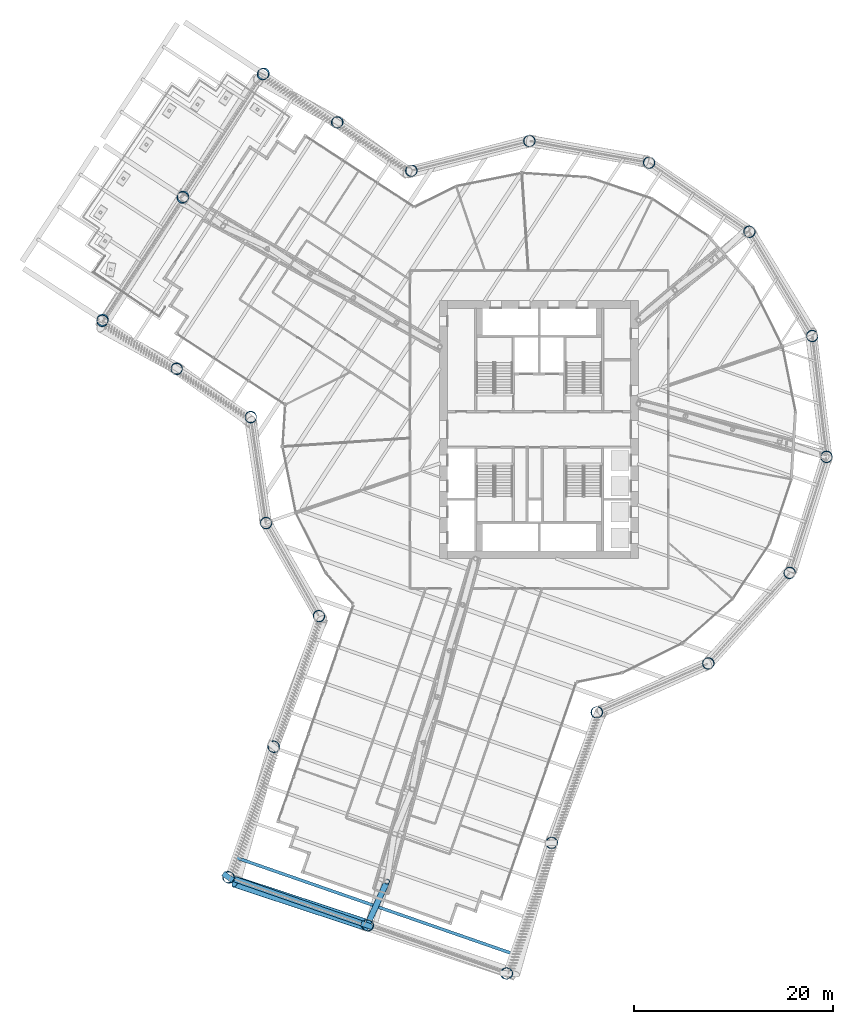
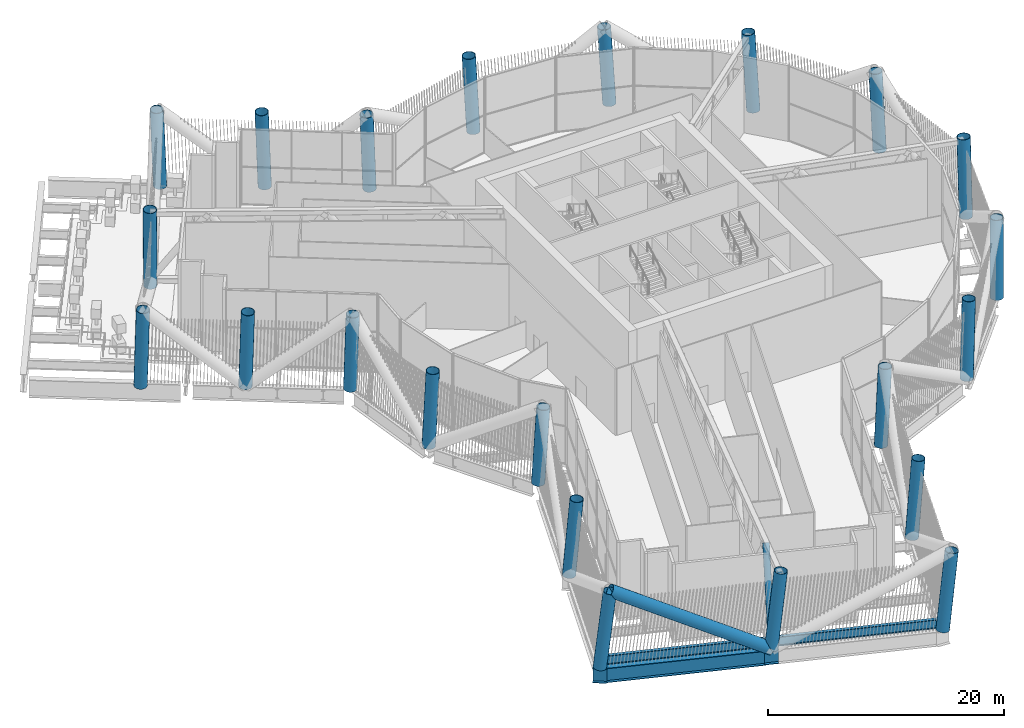
# One storey, part 1 of 63: 22 columns, 4 beams, 2 members.
"""IFC4 building model written with IfcOpenShell, lengths in metres."""

from ifc_helpers import new_model, si_unit, direction, frame, origin, origin_2d, place, context, subcontext, project, spatial, hollow_circle, i_section, extrude, material, material_profile, profile_set, type_object, element, save


model = new_model("IFC4")

# Units and contexts
model_context = context("Model", 3, precision=1e-05, world=origin(), true_north=direction((0.0, 1.0)))
body_context = subcontext(model_context, "Body", "Model", "MODEL_VIEW")
ifc_project = project(units=[si_unit("LENGTHUNIT", "METRE"), si_unit("AREAUNIT", "SQUARE_METRE"), si_unit("VOLUMEUNIT", "CUBIC_METRE"), si_unit("PLANEANGLEUNIT", "RADIAN"), si_unit("MASSUNIT", "GRAM", prefix="KILO")], contexts=[model_context])

# Site, building, storey
site_placement = place(None, origin())
site = spatial("IfcSite", under=ifc_project, at=site_placement, CompositionType="ELEMENT")
building_placement = place(site_placement, origin())
building = spatial("IfcBuilding", under=site, at=building_placement, Name="Tarsis Ring Headquarters", CompositionType="ELEMENT")
storey_placement = place(building_placement, frame((0.0, 0.0, 139.60009765625)))
storey = spatial("IfcBuildingStorey", under=building, at=storey_placement, Name="L32", CompositionType="ELEMENT", Elevation=139.60009765625)

# Columns
ifc_material = material(Name="Structural steel S355", Category="steel")
ifc_material_profile_1 = material_profile(ifc_material, hollow_circle(Radius=0.584228515625, WallThickness=0.044921875, at=origin_2d()), Name="CHS 1168x45")
ifc_profile_set_1 = profile_set([ifc_material_profile_1], Name="Structural steel S355")
column_type = type_object("IfcColumnType", Name="XC Exo column CHS 1168x45", PredefinedType="COLUMN", material=ifc_profile_set_1)
for number, where, z_axis, x_axis, name in (
    (1, (-27.49169921875, -9.3818359375, 0.024658203125), (0.018807822891, -0.053758516568, 0.998376826501), (0.943900273536, 0.330230637009, 0.0), "Exo column XC3 F1"),
    (2, (-22.182861328125, -18.75439453125, 0.024658203125), (0.037094900687, -0.043221226152, 0.99837662931), (0.758838858496, 0.651278424974, 0.0), "Exo column XC3 AK"),
):
    element("IfcColumn", number, at=place(storey_placement, frame(where, z_axis=z_axis, x_axis=x_axis)), inside=storey, type_object=column_type, Name=name, PredefinedType="COLUMN", context=body_context, shape_type="SweptSolid", body=[
        extrude(hollow_circle(Radius=0.584228515625, WallThickness=0.044921875, at=origin_2d()), origin(), (0.0, 0.0, 1.0), 7.97021484375),
    ])
column_1_placement = place(storey_placement, frame((-26.744384765625, -31.887451171875, 0.03466796875), z_axis=(0.06279424119, -0.051853516883, 0.996678531955), x_axis=(0.636735558256, 0.771082245193, 0.0)))
element("IfcColumn", 3, at=column_1_placement, inside=storey, type_object=column_type, Name="Exo column XC3 AI1", PredefinedType="COLUMN", context=body_context, shape_type="SweptSolid", body=[
    extrude(hollow_circle(Radius=0.584228515625, WallThickness=0.044921875, at=origin_2d()), origin(), (0.0, 0.0, 1.0), 7.96630859375),
])
column_2_placement = place(storey_placement, frame((-31.305419921875, -45.0205078125, 0.044677734375), z_axis=(0.08836182265, -0.060419387748, 0.994254336617), x_axis=(0.564437628103, 0.825475719801, 0.0)))
element("IfcColumn", 4, at=column_2_placement, inside=storey, type_object=column_type, Name="Exo column XC3 AT1", PredefinedType="COLUMN", context=body_context, shape_type="SweptSolid", body=[
    extrude(hollow_circle(Radius=0.584228515625, WallThickness=0.044921875, at=origin_2d()), origin(), (0.0, 0.0, 1.0), 7.968505859375),
])
column_3_placement = place(storey_placement, frame((-17.324951171875, -49.876708984375, 0.04345703125), z_axis=(0.097659119319, -0.033063755803, 0.994670540665), x_axis=(0.320682323438, 0.947186807042, 0.0)))
element("IfcColumn", 5, at=column_3_placement, inside=storey, type_object=column_type, Name="Exo column XC3 AT2", PredefinedType="COLUMN", context=body_context, shape_type="SweptSolid", body=[
    extrude(hollow_circle(Radius=0.584228515625, WallThickness=0.044921875, at=origin_2d()), origin(), (0.0, 0.0, 1.0), 7.96728515625),
])
column_4_placement = place(storey_placement, frame((-3.344482421875, -54.73291015625, 0.044677734375), z_axis=(0.106898122573, -0.005698782115, 0.994253647352), x_axis=(0.053234811153, 0.99858202211, 0.0)))
element("IfcColumn", 6, at=column_4_placement, inside=storey, type_object=column_type, Name="Exo column XC3 AT3", PredefinedType="COLUMN", context=body_context, shape_type="SweptSolid", body=[
    extrude(hollow_circle(Radius=0.584228515625, WallThickness=0.044921875, at=origin_2d()), origin(), (0.0, 0.0, 1.0), 7.968505859375),
])
column_5_placement = place(storey_placement, frame((1.216552734375, -41.600341796875, 0.03466796875), z_axis=(0.081365991573, 0.003003339802, 0.996679765705), x_axis=(-0.03688636825, 0.999319466356, 0.0)))
element("IfcColumn", 7, at=column_5_placement, inside=storey, type_object=column_type, Name="Exo column XC3 AO1", PredefinedType="COLUMN", context=body_context, shape_type="SweptSolid", body=[
    extrude(hollow_circle(Radius=0.584228515625, WallThickness=0.044921875, at=origin_2d()), origin(), (0.0, 0.0, 1.0), 7.96630859375),
])
for number, where, z_axis, x_axis, name in (
    (8, (5.77783203125, -28.468017578125, 0.024658203125), (0.055718962121, 0.011762551652, 0.998377203084), (-0.206552627247, 0.978435492088, 0.0), "Exo column XC3 AJ"),
    (9, (16.99853515625, -23.5556640625, 0.024658203125), (0.045916818856, 0.033694797026, 0.998376835869), (-0.591620116426, 0.806216867747, 0.0), "Exo column XC3 R1"),
    (10, (25.196533203125, -14.454833984375, 0.024658203125), (0.027966711328, 0.049592667733, 0.998377899577), (-0.871043397392, 0.491206066596, 0.0), "Exo column XC3 R2"),
    (11, (28.914794921875, -2.783935546875, 0.024658203125), (0.005023597121, 0.056699257752, 0.998378664457), (-0.996097911836, 0.088255028385, 0.0), "Exo column XC3 R3"),
    (12, (27.49169921875, 9.3818359375, 0.024658203125), (-0.018807822891, 0.053758516568, 0.998376826501), (-0.943900273536, -0.330230637009, 0.0), "Exo column XC3 R4"),
    (13, (21.1806640625, 19.879638671875, 0.024658203125), (-0.039300420777, 0.041199583746, 0.998377719716), (-0.723587563122, -0.690232597387, 0.0), "Exo column XC3 R5"),
    (14, (11.103271484375, 26.8427734375, 0.024658203125), (-0.052778365782, 0.021350273331, 0.998377989508), (-0.375005632645, -0.92702253235, 0.0), "Exo column XC3 R6"),
    (15, (-0.947998046875, 29.032958984375, 0.024658203125), (-0.056913554299, -0.002297371675, 0.99837646678), (0.04033313864, -0.9991862879, 0.0), "Exo column XC3 R7"),
    (16, (-12.830810546875, 26.061279296875, 0.024658203125), (-0.050909716196, -0.025577384491, 0.998375679892), (0.448933230837, -0.893565304972, 0.0), "Exo column XC3 BJ"),
):
    element("IfcColumn", number, at=place(storey_placement, frame(where, z_axis=z_axis, x_axis=x_axis)), inside=storey, type_object=column_type, Name=name, PredefinedType="COLUMN", context=body_context, shape_type="SweptSolid", body=[
        extrude(hollow_circle(Radius=0.584228515625, WallThickness=0.044921875, at=origin_2d()), origin(), (0.0, 0.0, 1.0), 7.97021484375),
    ])
column_6_placement = place(storey_placement, frame((-20.278564453125, 30.93359375, -0.06005859375), z_axis=(-0.060258638386, -0.040202721538, 0.997372867929), x_axis=(0.554989705701, -0.831857215252, 0.0)))
element("IfcColumn", 17, at=column_6_placement, inside=storey, type_object=column_type, Name="Exo column XC3 BO1", PredefinedType="COLUMN", context=body_context, shape_type="SweptSolid", body=[
    extrude(hollow_circle(Radius=0.584228515625, WallThickness=0.044921875, at=origin_2d()), origin(), (0.0, 0.0, 1.0), 8.05859375),
])
column_7_placement = place(storey_placement, frame((-27.70947265625, 35.8203125, -0.35986328125), z_axis=(-0.069576049495, -0.054808649728, 0.996069869664), x_axis=(0.61881061751, -0.78554020881, 0.0)))
element("IfcColumn", 18, at=column_7_placement, inside=storey, type_object=column_type, Name="Exo column XC3 BT3", PredefinedType="COLUMN", context=body_context, shape_type="SweptSolid", body=[
    extrude(hollow_circle(Radius=0.584228515625, WallThickness=0.044921875, at=origin_2d()), origin(), (0.0, 0.0, 1.0), 8.365478515625),
])
column_8_placement = place(storey_placement, frame((-35.8134765625, 23.43603515625, -0.35986328125), z_axis=(-0.045248516538, -0.070441722842, 0.996489104524), x_axis=(0.841371015642, -0.540457966948, 0.0)))
element("IfcColumn", 19, at=column_8_placement, inside=storey, type_object=column_type, Name="Exo column XC3 BT2", PredefinedType="COLUMN", context=body_context, shape_type="SweptSolid", body=[
    extrude(hollow_circle(Radius=0.584228515625, WallThickness=0.044921875, at=origin_2d()), origin(), (0.0, 0.0, 1.0), 8.363037109375),
])
column_9_placement = place(storey_placement, frame((-43.917724609375, 11.052001953125, -0.35986328125), z_axis=(-0.020867000273, -0.086065431894, 0.996070936095), x_axis=(0.971843245604, -0.235628321671, 0.0)))
element("IfcColumn", 20, at=column_9_placement, inside=storey, type_object=column_type, Name="Exo column XC3 BT1", PredefinedType="COLUMN", context=body_context, shape_type="SweptSolid", body=[
    extrude(hollow_circle(Radius=0.584228515625, WallThickness=0.044921875, at=origin_2d()), origin(), (0.0, 0.0, 1.0), 8.365478515625),
])
column_10_placement = place(storey_placement, frame((-36.471923828125, 6.156005859375, -0.06005859375), z_axis=(-0.01148215907, -0.071528700696, 0.997372450492), x_axis=(0.98735960349, -0.158496098993, 0.0)))
element("IfcColumn", 21, at=column_10_placement, inside=storey, type_object=column_type, Name="Exo column XC3 BI1", PredefinedType="COLUMN", context=body_context, shape_type="SweptSolid", body=[
    extrude(hollow_circle(Radius=0.584228515625, WallThickness=0.044921875, at=origin_2d()), origin(), (0.0, 0.0, 1.0), 8.05859375),
])
column_11_placement = place(storey_placement, frame((-29.020263671875, 1.28076171875, 0.024658203125), z_axis=(-0.002052323367, -0.056883052134, 0.998378738931), x_axis=(0.999349762444, -0.036056238063, 0.0)))
element("IfcColumn", 22, at=column_11_placement, inside=storey, type_object=column_type, Name="Exo column XC3 BK", PredefinedType="COLUMN", context=body_context, shape_type="SweptSolid", body=[
    extrude(hollow_circle(Radius=0.584228515625, WallThickness=0.044921875, at=origin_2d()), origin(), (0.0, 0.0, 1.0), 7.97021484375),
])

# Beam
ifc_material_profile_2 = material_profile(ifc_material, i_section(OverallWidth=0.309814453125, OverallDepth=0.949951171875, WebThickness=0.0244140625, FlangeThickness=0.0439453125, at=origin_2d()), Name="W36x256")
ifc_profile_set_2 = profile_set([ifc_material_profile_2], Name="Structural steel S355")
beam_type_1 = type_object("IfcBeamType", Name="FB Floor beam W36x256", PredefinedType="JOIST", material=ifc_profile_set_2)
beam_1_placement = place(storey_placement, frame((-30.70068359375, -43.006103515625, -0.775146484375), z_axis=(0.94460616268, -0.328206028933, 0.0), x_axis=(0.328206028933, 0.94460616268, 0.0)))
element("IfcBeam", 23, at=beam_1_placement, inside=storey, type_object=beam_type_1, Name="Floor beam FB11", PredefinedType="JOIST", context=body_context, shape_type="SweptSolid", body=[
    extrude(i_section(OverallWidth=0.309814453125, OverallDepth=0.949951171875, WebThickness=0.0244140625, FlangeThickness=0.0439453125, at=origin_2d()), origin(), (0.0, 0.0, 1.0), 29.770263671875),
])

# Members
ifc_material_profile_3 = material_profile(ifc_material, hollow_circle(Radius=0.3046875, WallThickness=0.02490234375, at=origin_2d()), Name="CHS 610x25")
ifc_profile_set_3 = profile_set([ifc_material_profile_3], Name="Structural steel S355")
member_type_1 = type_object("IfcMemberType", Name="OD Outrigger diagonal CHS 610x25", PredefinedType="BRACE", material=ifc_profile_set_3)
member_1_placement = place(storey_placement, frame((-15.311279296875, -45.486572265625, 7.5859375), z_axis=(-0.227046677237, -0.500870977099, -0.835211392795), x_axis=(0.910792042197, -0.412865421016, 0.0)))
element("IfcMember", 24, at=member_1_placement, inside=storey, type_object=member_type_1, Name="Outrigger diagonal OD1", PredefinedType="BRACE", context=body_context, shape_type="SweptSolid", body=[
    extrude(hollow_circle(Radius=0.3046875, WallThickness=0.02490234375, at=origin_2d()), origin(), (0.0, 0.0, 1.0), 8.778564453125),
])
member_type_2 = type_object("IfcMemberType", Name="TD Belt truss diagonal CHS 1168x45", PredefinedType="BRACE", material=ifc_profile_set_1)
member_2_placement = place(storey_placement, frame((-17.329345703125, -49.875244140625, 0.0), z_axis=(-0.824222926487, 0.271526034456, 0.496920697965), x_axis=(-0.312891564908, -0.949788854751, 0.0)))
element("IfcMember", 25, at=member_2_placement, inside=storey, type_object=member_type_2, Name="Belt truss diagonal TD3", PredefinedType="BRACE", context=body_context, shape_type="SweptSolid", body=[
    extrude(hollow_circle(Radius=0.584228515625, WallThickness=0.044921875, at=origin_2d()), origin(), (0.0, 0.0, 1.0), 16.09912109375),
])

# Beams
ifc_material_profile_4 = material_profile(ifc_material, i_section(OverallWidth=0.550048828125, OverallDepth=1.5, WebThickness=0.030029296875, FlangeThickness=0.050048828125, at=origin_2d()), Name="PG 1500x550x30x50")
ifc_profile_set_4 = profile_set([ifc_material_profile_4], Name="Structural steel S355")
beam_type_2 = type_object("IfcBeamType", Name="XG Ring girder PG 1500x550x30x50", PredefinedType="BEAM", material=ifc_profile_set_4)
for number, where, z_axis, x_axis, name in (
    (26, (-31.798095703125, -44.677978515625, -0.71533203125), (0.820996428254, -0.570933327802, 0.0), (0.570933327802, 0.820996428254, 0.0), "Ring girder XG6"),
    (27, (-17.891845703125, -49.6796875, -0.716552734375), (0.944620241164, -0.328165506999, 0.0), (0.328165506999, 0.944620241164, 0.0), "Ring girder XG6"),
):
    element("IfcBeam", number, at=place(storey_placement, frame(where, z_axis=z_axis, x_axis=x_axis)), inside=storey, type_object=beam_type_2, Name=name, PredefinedType="BEAM", context=body_context, shape_type="SweptSolid", body=[
        extrude(i_section(OverallWidth=0.550048828125, OverallDepth=1.5, WebThickness=0.030029296875, FlangeThickness=0.050048828125, at=origin_2d()), origin(), (0.0, 0.0, 1.0), 1.199951171875),
    ])
beam_2_placement = place(storey_placement, frame((-30.812744140625, -45.190185546875, -0.75), z_axis=(0.944602874361, -0.328215492853, 0.0), x_axis=(0.328215492853, 0.944602874361, 0.0)))
element("IfcBeam", 28, at=beam_2_placement, inside=storey, type_object=beam_type_2, Name="Ring girder XG6", PredefinedType="BEAM", context=body_context, shape_type="SweptSolid", body=[
    extrude(i_section(OverallWidth=0.550048828125, OverallDepth=1.5, WebThickness=0.030029296875, FlangeThickness=0.050048828125, at=origin_2d()), origin(), (0.0, 0.0, 1.0), 13.74853515625),
])

save(model, "model.ifc")
